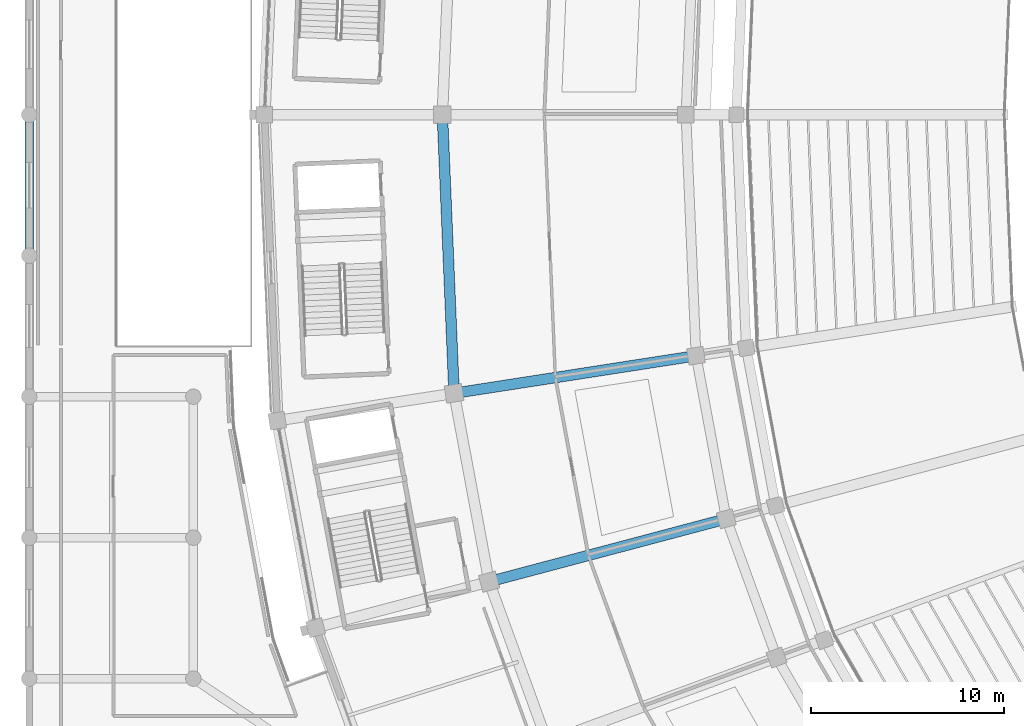
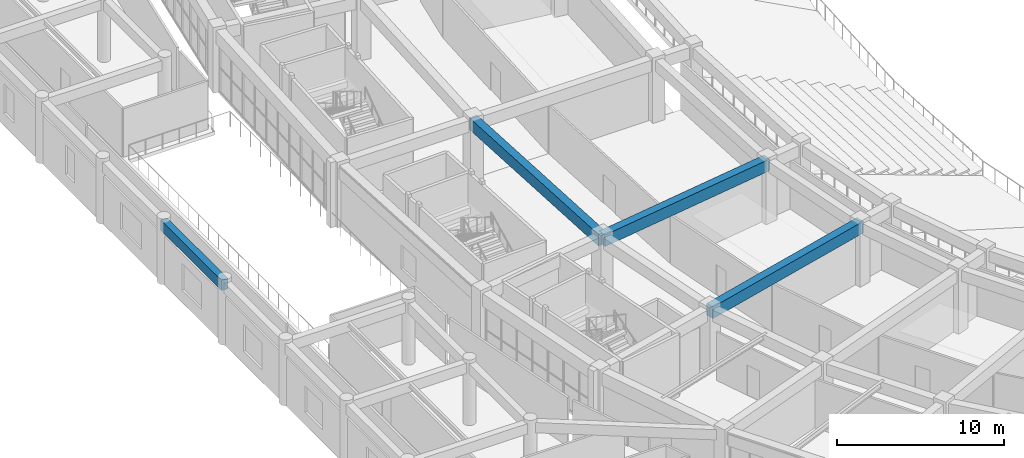
# One storey, part 27 of 152: 4 beams.
"""IFC4 building model written with IfcOpenShell, lengths in metres."""

from ifc_helpers import new_model, si_unit, direction, frame, origin, origin_2d, place, context, subcontext, project, spatial, rectangle, extrude, material, material_profile, profile_set, type_object, element, save


model = new_model("IFC4")

# Units and contexts
model_context = context("Model", 3, precision=1e-05, world=origin(), true_north=direction((0.0, 1.0)))
body_context = subcontext(model_context, "Body", "Model", "MODEL_VIEW")
ifc_project = project(units=[si_unit("LENGTHUNIT", "METRE"), si_unit("AREAUNIT", "SQUARE_METRE"), si_unit("VOLUMEUNIT", "CUBIC_METRE"), si_unit("PLANEANGLEUNIT", "RADIAN"), si_unit("MASSUNIT", "GRAM", prefix="KILO")], contexts=[model_context])

# Site, building, storey
site_placement = place(None, origin())
site = spatial("IfcSite", under=ifc_project, at=site_placement, CompositionType="ELEMENT")
building_placement = place(site_placement, origin())
building = spatial("IfcBuilding", under=site, at=building_placement, Name="Mphavela Belvedere Stadium", CompositionType="ELEMENT")
storey_placement = place(building_placement, frame((0.0, 0.0, 5.39990234375)))
storey = spatial("IfcBuildingStorey", under=building, at=storey_placement, Name="L01", CompositionType="ELEMENT", Elevation=5.39990234375)

# Beams
ifc_material_1 = material(Name="Concrete C40/50", Category="concrete")
ifc_material_profile_1 = material_profile(ifc_material_1, rectangle(XDim=0.449951171875, YDim=0.75, at=origin_2d()), Name="RC 450x750")
ifc_profile_set_1 = profile_set([ifc_material_profile_1], Name="Concrete C40/50")
beam_type_1 = type_object("IfcBeamType", Name="BM-RC450x750", PredefinedType="BEAM", material=ifc_profile_set_1)
beam_1_placement = place(storey_placement, frame((0.0, 79.699951171875, 4.1650390625), z_axis=(0.0, 1.0, 0.0), x_axis=(-1.0, 0.0, 0.0)))
element("IfcBeam", 1, at=beam_1_placement, inside=storey, type_object=beam_type_1, Name="West Planted Eaves Peristyle Colonnade entablature beam Y L01 1-5", PredefinedType="BEAM", context=body_context, shape_type="SweptSolid", body=[
    extrude(rectangle(XDim=0.449951171875, YDim=0.75, at=origin_2d()), origin(), (0.0, 0.0, 1.0), 7.300048828125),
])
ifc_material_2 = material(Name="Concrete C40/50", Category="concrete")
ifc_material_profile_2 = material_profile(ifc_material_2, rectangle(XDim=0.550048828125, YDim=0.85009765625, at=origin_2d()), Name="RC 550x850")
ifc_profile_set_2 = profile_set([ifc_material_profile_2], Name="Concrete C40/50")
beam_type_2 = type_object("IfcBeamType", Name="BM-RC550x850", PredefinedType="BEAM", material=ifc_profile_set_2)
beam_2_placement = place(storey_placement, frame((21.39501953125, 87.0, 4.125), z_axis=(0.041903450766, -0.99912166467, 0.0), x_axis=(0.99912166467, 0.041903450766, 0.0)))
element("IfcBeam", 2, at=beam_2_placement, inside=storey, type_object=beam_type_2, Name="Circumferential girder L01 R3-25", PredefinedType="BEAM", context=body_context, shape_type="SweptSolid", body=[
    extrude(rectangle(XDim=0.550048828125, YDim=0.85009765625, at=origin_2d()), origin(), (0.0, 0.0, 1.0), 14.4375),
])
beam_3_placement = place(storey_placement, frame((34.528564453125, 74.518310546875, 4.125), z_axis=(-0.988185521494, -0.153262438677, 0.0), x_axis=(0.153262438677, -0.988185521494, 0.0)))
element("IfcBeam", 3, at=beam_3_placement, inside=storey, type_object=beam_type_2, Name="Radial concourse girder L01 R2R3-26", PredefinedType="BEAM", context=body_context, shape_type="SweptSolid", body=[
    extrude(rectangle(XDim=0.550048828125, YDim=0.85009765625, at=origin_2d()), origin(), (0.0, 0.0, 1.0), 12.678466796875),
])
beam_4_placement = place(storey_placement, frame((36.0966796875, 66.07568359375, 4.125), z_axis=(-0.966590800726, -0.256324450554, 0.0), x_axis=(0.256324450554, -0.966590800726, 0.0)))
element("IfcBeam", 4, at=beam_4_placement, inside=storey, type_object=beam_type_2, Name="Radial concourse girder L01 R2R3-27", PredefinedType="BEAM", context=body_context, shape_type="SweptSolid", body=[
    extrude(rectangle(XDim=0.550048828125, YDim=0.85009765625, at=origin_2d()), origin(), (0.0, 0.0, 1.0), 12.708740234375),
])

save(model, "model.ifc")
